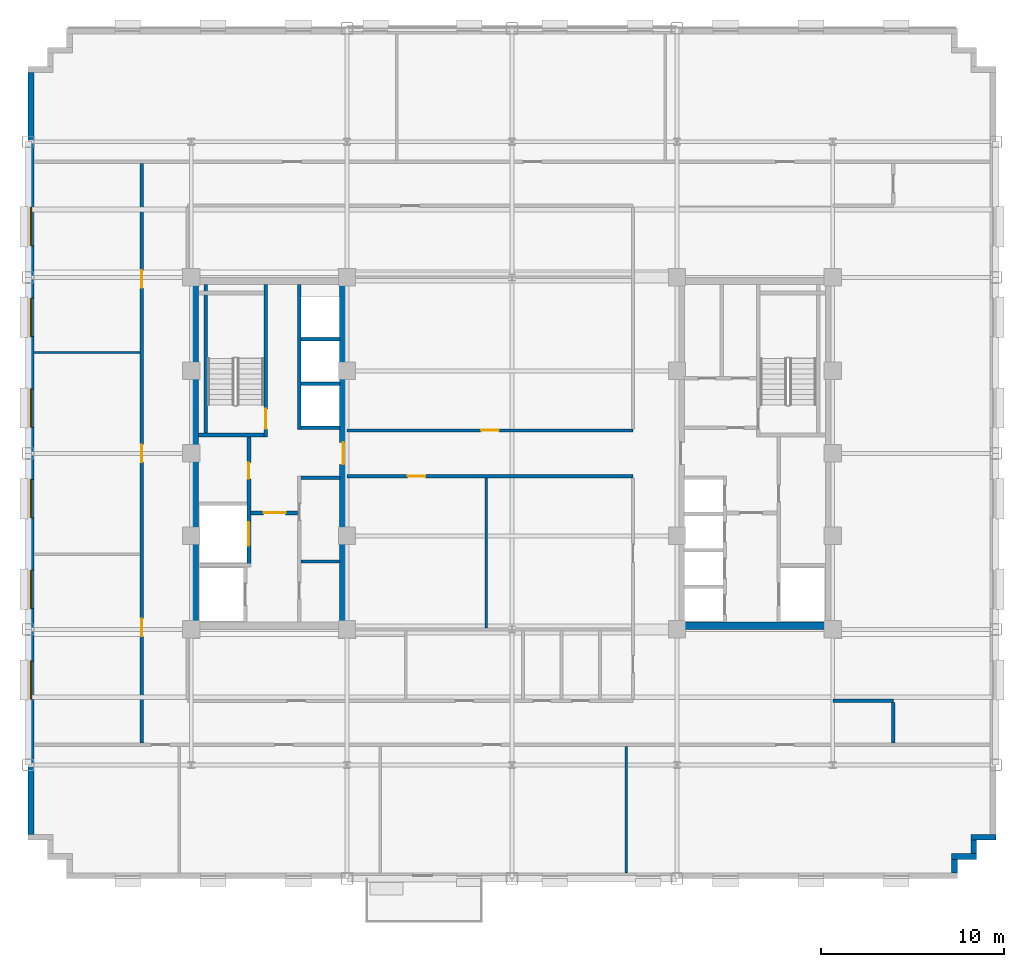
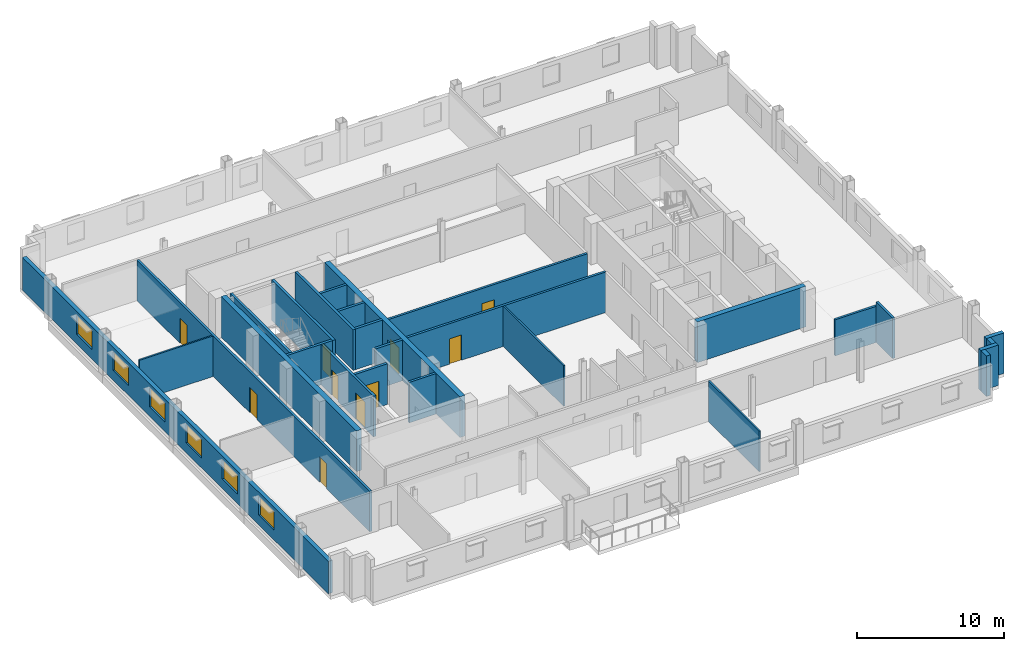
# One storey, part 7 of 13: 27 walls, 10 doors, 6 windows, 16 openings.
"""IFC4 building model written with IfcOpenShell, lengths in metres."""

from ifc_helpers import new_model, si_unit, direction, frame, frame_2d, origin, place, context, subcontext, project, spatial, rectangle, extrude, source, transform, mapped, material, layer, layer_set, type_object, type_shapes, element, fill, save


model = new_model("IFC4")

# Units and contexts
model_context = context("Model", 3, precision=1e-05, world=origin(), true_north=direction((0.0, 1.0)))
body_context = subcontext(model_context, "Body", "Model", "MODEL_VIEW")
ifc_project = project(units=[si_unit("LENGTHUNIT", "METRE"), si_unit("AREAUNIT", "SQUARE_METRE"), si_unit("VOLUMEUNIT", "CUBIC_METRE"), si_unit("PLANEANGLEUNIT", "RADIAN"), si_unit("MASSUNIT", "GRAM", prefix="KILO")], contexts=[model_context])

# Site, building, storey
site_placement = place(None, origin())
site = spatial("IfcSite", under=ifc_project, at=site_placement, CompositionType="ELEMENT")
building_placement = place(site_placement, origin())
building = spatial("IfcBuilding", under=site, at=building_placement, Name="Nuvemarco Arch Tower", CompositionType="ELEMENT")
storey_placement = place(building_placement, frame((0.0, 0.0, 149.39990234375)))
storey = spatial("IfcBuildingStorey", under=building, at=storey_placement, Name="L39", CompositionType="ELEMENT", Elevation=149.39990234375)

# Walls
ifc_material_1 = material(Name="Precast concrete C45/55", Category="concrete")
ifc_layer_1 = layer(ifc_material_1, 0.320068359375, Name="EW-MID-320")
ifc_layer_set_1 = layer_set([ifc_layer_1], Name="Precast concrete C45/55")
wall_type_1 = type_object("IfcWallType", Name="EW-MID-320", PredefinedType="STANDARD", material=ifc_layer_set_1)
wall_1_placement = place(storey_placement, frame((24.139892578125, -22.884033203125, 0.0), z_axis=(0.0, 0.0, 1.0), x_axis=(0.0, 1.0, 0.0)))
element("IfcWall", 1, at=wall_1_placement, inside=storey, type_object=wall_type_1, Name="L39 exterior precast facade wall 2", PredefinedType="STANDARD", context=body_context, shape_type="SweptSolid", body=[
    extrude(rectangle(XDim=0.738037109375, YDim=0.320068359375, at=frame_2d((0.369140625, 0.0))), origin(), (0.0, 0.0, 1.0), 3.360107421875),
])
wall_2_placement = place(storey_placement, frame((23.97998046875, -21.989990234375, 0.0), z_axis=(0.0, 0.0, 1.0), x_axis=(1.0, 0.0, 0.0)))
element("IfcWall", 2, at=wall_2_placement, inside=storey, type_object=wall_type_1, Name="L39 exterior precast facade wall 3", PredefinedType="STANDARD", context=body_context, shape_type="SweptSolid", body=[
    extrude(rectangle(XDim=1.3701171875, YDim=0.320068359375, at=frame_2d((0.68505859375, 0.0))), origin(), (0.0, 0.0, 1.0), 3.360107421875),
])
wall_3_placement = place(storey_placement, frame((25.18994140625, -21.833984375, 0.0), z_axis=(0.0, 0.0, 1.0), x_axis=(0.0, 1.0, 0.0)))
element("IfcWall", 3, at=wall_3_placement, inside=storey, type_object=wall_type_1, Name="L39 exterior precast facade wall 4", PredefinedType="STANDARD", context=body_context, shape_type="SweptSolid", body=[
    extrude(rectangle(XDim=0.738037109375, YDim=0.320068359375, at=frame_2d((0.369140625, 0.0))), origin(), (0.0, 0.0, 1.0), 3.360107421875),
])
wall_4_placement = place(storey_placement, frame((25.030029296875, -20.93994140625, 0.0), z_axis=(0.0, 0.0, 1.0), x_axis=(1.0, 0.0, 0.0)))
element("IfcWall", 4, at=wall_4_placement, inside=storey, type_object=wall_type_1, Name="L39 exterior precast facade wall 5", PredefinedType="STANDARD", context=body_context, shape_type="SweptSolid", body=[
    extrude(rectangle(XDim=1.369873046875, YDim=0.320068359375, at=frame_2d((0.68505859375, 0.0))), origin(), (0.0, 0.0, 1.0), 3.360107421875),
])

# Wall, openings, windows
wall_5_placement = place(storey_placement, frame((-26.239990234375, -20.783935546875, 0.0), z_axis=(0.0, 0.0, 1.0), x_axis=(0.0, 1.0, 0.0)))
wall_5 = element("IfcWall", 5, at=wall_5_placement, inside=storey, type_object=wall_type_1, Name="L39 exterior precast facade wall 16", PredefinedType="STANDARD", context=body_context, shape_type="SweptSolid", body=[
    extrude(rectangle(XDim=41.56787109375, YDim=0.320068359375, at=frame_2d((20.783935546875, 0.0))), origin(), (0.0, 0.0, 1.0), 2.705078125),
])
opening_1_placement = place(wall_5_placement, frame((7.368896484375, 0.0, 0.800048828125)))
opening_1 = element("IfcOpeningElement", 6, at=opening_1_placement, cuts=wall_5, Name="Opening WN-5", PredefinedType="OPENING", context=body_context, shape_type="SweptSolid", body=[
    extrude(rectangle(XDim=2.10009765625, YDim=1.56005859375, at=frame_2d((1.050048828125, 0.780029296875))), frame((0.0, 0.169921875, 0.0), z_axis=(0.0, -1.0, 0.0), x_axis=(1.0, 0.0, 0.0)), (0.0, 0.0, 1.0), 0.340087890625),
])
opening_2_placement = place(wall_5_placement, frame((12.31494140625, 0.0, 0.800048828125)))
opening_2 = element("IfcOpeningElement", 7, at=opening_2_placement, cuts=wall_5, Name="Opening WN-5", PredefinedType="OPENING", context=body_context, shape_type="SweptSolid", body=[
    extrude(rectangle(XDim=2.10009765625, YDim=1.56005859375, at=frame_2d((1.050048828125, 0.780029296875))), frame((0.0, 0.169921875, 0.0), z_axis=(0.0, -1.0, 0.0), x_axis=(1.0, 0.0, 0.0)), (0.0, 0.0, 1.0), 0.340087890625),
])
opening_3_placement = place(wall_5_placement, frame((17.260986328125, 0.0, 0.800048828125)))
opening_3 = element("IfcOpeningElement", 8, at=opening_3_placement, cuts=wall_5, Name="Opening WN-5", PredefinedType="OPENING", context=body_context, shape_type="SweptSolid", body=[
    extrude(rectangle(XDim=2.10009765625, YDim=1.56005859375, at=frame_2d((1.050048828125, 0.780029296875))), frame((0.0, 0.169921875, 0.0), z_axis=(0.0, -1.0, 0.0), x_axis=(1.0, 0.0, 0.0)), (0.0, 0.0, 1.0), 0.340087890625),
])
opening_4_placement = place(wall_5_placement, frame((22.20703125, 0.0, 0.800048828125)))
opening_4 = element("IfcOpeningElement", 9, at=opening_4_placement, cuts=wall_5, Name="Opening WN-5", PredefinedType="OPENING", context=body_context, shape_type="SweptSolid", body=[
    extrude(rectangle(XDim=2.10009765625, YDim=1.56005859375, at=frame_2d((1.050048828125, 0.780029296875))), frame((0.0, 0.169921875, 0.0), z_axis=(0.0, -1.0, 0.0), x_axis=(1.0, 0.0, 0.0)), (0.0, 0.0, 1.0), 0.340087890625),
])
opening_5_placement = place(wall_5_placement, frame((27.153076171875, 0.0, 0.800048828125)))
opening_5 = element("IfcOpeningElement", 10, at=opening_5_placement, cuts=wall_5, Name="Opening WN-5", PredefinedType="OPENING", context=body_context, shape_type="SweptSolid", body=[
    extrude(rectangle(XDim=2.10009765625, YDim=1.56005859375, at=frame_2d((1.050048828125, 0.780029296875))), frame((0.0, 0.169921875, 0.0), z_axis=(0.0, -1.0, 0.0), x_axis=(1.0, 0.0, 0.0)), (0.0, 0.0, 1.0), 0.340087890625),
])
opening_6_placement = place(wall_5_placement, frame((32.09912109375, 0.0, 0.800048828125)))
opening_6 = element("IfcOpeningElement", 11, at=opening_6_placement, cuts=wall_5, Name="Opening WN-5", PredefinedType="OPENING", context=body_context, shape_type="SweptSolid", body=[
    extrude(rectangle(XDim=2.10009765625, YDim=1.56005859375, at=frame_2d((1.050048828125, 0.780029296875))), frame((0.0, 0.169921875, 0.0), z_axis=(0.0, -1.0, 0.0), x_axis=(1.0, 0.0, 0.0)), (0.0, 0.0, 1.0), 0.340087890625),
])
ifc_material_2 = material(Name="Insulated solar-control glass", Category="glass")
window_type = type_object("IfcWindowType", Name="WN-MID-2100x1560", PartitioningType="DOUBLE_PANEL_VERTICAL", PredefinedType="WINDOW", material=ifc_material_2)
shared_shape_1 = source(origin(), body_context, "Body", "SweptSolid", [
    extrude(rectangle(XDim=2.10009765625, YDim=1.56005859375, at=frame_2d((1.050048828125, 0.780029296875))), frame((0.0, 0.030029296875, 0.0), z_axis=(0.0, -1.0, 0.0), x_axis=(1.0, 0.0, 0.0)), (0.0, 0.0, 1.0), 0.06005859375),
])
type_shapes(window_type, [shared_shape_1])
window_1_placement = place(opening_1_placement, origin())
window_1 = element("IfcWindow", 12, at=window_1_placement, inside=storey, type_object=window_type, Name="L39 punched facade window 2", OverallHeight=1.56005859375, OverallWidth=2.10009765625, PartitioningType="SINGLE_PANEL", PredefinedType="WINDOW", context=body_context, shape_type="MappedRepresentation", body=[
    mapped(shared_shape_1, transform((0.0, 0.0, 0.0), scale=1.0)),
])
fill(opening_1, window_1)
window_2_placement = place(opening_2_placement, origin())
window_2 = element("IfcWindow", 13, at=window_2_placement, inside=storey, type_object=window_type, Name="L39 punched facade window 3", OverallHeight=1.56005859375, OverallWidth=2.10009765625, PartitioningType="SINGLE_PANEL", PredefinedType="WINDOW", context=body_context, shape_type="MappedRepresentation", body=[
    mapped(shared_shape_1, transform((0.0, 0.0, 0.0), scale=1.0)),
])
fill(opening_2, window_2)
window_3_placement = place(opening_3_placement, origin())
window_3 = element("IfcWindow", 14, at=window_3_placement, inside=storey, type_object=window_type, Name="L39 punched facade window 4", OverallHeight=1.56005859375, OverallWidth=2.10009765625, PartitioningType="SINGLE_PANEL", PredefinedType="WINDOW", context=body_context, shape_type="MappedRepresentation", body=[
    mapped(shared_shape_1, transform((0.0, 0.0, 0.0), scale=1.0)),
])
fill(opening_3, window_3)
window_4_placement = place(opening_4_placement, origin())
window_4 = element("IfcWindow", 15, at=window_4_placement, inside=storey, type_object=window_type, Name="L39 punched facade window 5", OverallHeight=1.56005859375, OverallWidth=2.10009765625, PartitioningType="SINGLE_PANEL", PredefinedType="WINDOW", context=body_context, shape_type="MappedRepresentation", body=[
    mapped(shared_shape_1, transform((0.0, 0.0, 0.0), scale=1.0)),
])
fill(opening_4, window_4)
window_5_placement = place(opening_5_placement, origin())
window_5 = element("IfcWindow", 16, at=window_5_placement, inside=storey, type_object=window_type, Name="L39 punched facade window 6", OverallHeight=1.56005859375, OverallWidth=2.10009765625, PartitioningType="SINGLE_PANEL", PredefinedType="WINDOW", context=body_context, shape_type="MappedRepresentation", body=[
    mapped(shared_shape_1, transform((0.0, 0.0, 0.0), scale=1.0)),
])
fill(opening_5, window_5)
window_6_placement = place(opening_6_placement, origin())
window_6 = element("IfcWindow", 17, at=window_6_placement, inside=storey, type_object=window_type, Name="L39 punched facade window 7", OverallHeight=1.56005859375, OverallWidth=2.10009765625, PartitioningType="SINGLE_PANEL", PredefinedType="WINDOW", context=body_context, shape_type="MappedRepresentation", body=[
    mapped(shared_shape_1, transform((0.0, 0.0, 0.0), scale=1.0)),
])
fill(opening_6, window_6)

# Wall
ifc_material_3 = material(Name="Concrete C60/75", Category="concrete")
ifc_layer_2 = layer(ifc_material_3, 0.39990234375, Name="WL-CORE-400")
ifc_layer_set_2 = layer_set([ifc_layer_2], Name="Concrete C60/75")
wall_type_2 = type_object("IfcWallType", Name="WL-CORE-400", PredefinedType="SHEAR", material=ifc_layer_set_2)
wall_6_placement = place(storey_placement, frame((-17.300048828125, -9.205078125, 0.0), z_axis=(0.0, 0.0, 1.0), x_axis=(0.0, 1.0, 0.0)))
element("IfcWall", 18, at=wall_6_placement, inside=storey, type_object=wall_type_2, Name="L39 W-core shear wall W", PredefinedType="SHEAR", context=body_context, shape_type="SweptSolid", body=[
    extrude(rectangle(XDim=18.41015625, YDim=0.39990234375, at=frame_2d((9.205078125, 0.0))), origin(), (0.0, 0.0, 1.0), 3.3701171875),
])

# Wall, opening, door
wall_7_placement = place(storey_placement, frame((-9.199951171875, -9.205078125, 0.0), z_axis=(0.0, 0.0, 1.0), x_axis=(0.0, 1.0, 0.0)))
wall_7 = element("IfcWall", 19, at=wall_7_placement, inside=storey, type_object=wall_type_2, Name="L39 W-core shear wall E", PredefinedType="SHEAR", context=body_context, shape_type="SweptSolid", body=[
    extrude(rectangle(XDim=18.41015625, YDim=0.39990234375, at=frame_2d((9.205078125, 0.0))), origin(), (0.0, 0.0, 1.0), 3.3701171875),
])
opening_7_placement = place(wall_7_placement, frame((8.60498046875, 0.0, 0.0)))
opening_7 = element("IfcOpeningElement", 20, at=opening_7_placement, cuts=wall_7, Name="Opening FD-2", PredefinedType="OPENING", context=body_context, shape_type="SweptSolid", body=[
    extrude(rectangle(XDim=1.199951171875, YDim=2.14990234375, at=frame_2d((0.60009765625, 1.074951171875))), frame((0.0, 0.2099609375, 0.0), z_axis=(0.0, -1.0, 0.0), x_axis=(1.0, 0.0, 0.0)), (0.0, 0.0, 1.0), 0.419921875),
])
ifc_material_4 = material(Name="Anodised steel fire door", Category="steel")
door_type_1 = type_object("IfcDoorType", Name="DR-FFLOB-FD", OperationType="NOTDEFINED", PredefinedType="DOOR", material=ifc_material_4)
shared_shape_2 = source(origin(), body_context, "Body", "SweptSolid", [
    extrude(rectangle(XDim=1.199951171875, YDim=2.14990234375, at=frame_2d((0.60009765625, 1.074951171875))), frame((0.0, 0.02490234375, 0.0), z_axis=(0.0, -1.0, 0.0), x_axis=(1.0, 0.0, 0.0)), (0.0, 0.0, 1.0), 0.050048828125),
])
type_shapes(door_type_1, [shared_shape_2])
door_1_placement = place(opening_7_placement, origin())
door_1 = element("IfcDoor", 21, at=door_1_placement, inside=storey, type_object=door_type_1, Name="L39 door FD-L39-WCORE-E", OperationType="SINGLE_SWING_LEFT", OverallHeight=2.14990234375, OverallWidth=1.199951171875, PredefinedType="DOOR", context=body_context, shape_type="MappedRepresentation", body=[
    mapped(shared_shape_2, transform((0.0, 0.0, 0.0), scale=1.0)),
])
fill(opening_7, door_1)

# Walls
wall_8_placement = place(storey_placement, frame((9.0, -9.39990234375, 0.0), z_axis=(0.0, 0.0, 1.0), x_axis=(1.0, 0.0, 0.0)))
element("IfcWall", 22, at=wall_8_placement, inside=storey, type_object=wall_type_2, Name="L39 E-core shear wall S", PredefinedType="SHEAR", context=body_context, shape_type="SweptSolid", body=[
    extrude(rectangle(XDim=8.5, YDim=0.39990234375, at=frame_2d((4.25, 0.0))), origin(), (0.0, 0.0, 1.0), 3.3701171875),
])
ifc_material_5 = material(Name="Fire-rated gypsum drywall partition")
ifc_layer_3 = layer(ifc_material_5, 0.179931640625, Name="WL-CORR-180")
ifc_layer_set_3 = layer_set([ifc_layer_3], Name="Fire-rated gypsum drywall partition")
wall_type_3 = type_object("IfcWallType", Name="WL-CORR-180", PredefinedType="PARTITIONING", material=ifc_layer_set_3)
wall_9_placement = place(storey_placement, frame((-11.5048828125, -5.89990234375, 0.0), z_axis=(0.0, 0.0, 1.0), x_axis=(1.0, 0.0, 0.0)))
element("IfcWall", 23, at=wall_9_placement, inside=storey, type_object=wall_type_3, Name="L39 interior wall IW-L39-W-RECK3", PredefinedType="PARTITIONING", context=body_context, shape_type="SweptSolid", body=[
    extrude(rectangle(XDim=2.10986328125, YDim=0.179931640625, at=frame_2d((1.054931640625, 0.0))), origin(), (0.0, 0.0, 1.0), 3.360107421875),
])
wall_10_placement = place(storey_placement, frame((17.5, -13.5, 0.0), z_axis=(0.0, 0.0, 1.0), x_axis=(1.0, 0.0, 0.0)))
element("IfcWall", 24, at=wall_10_placement, inside=storey, type_object=wall_type_3, Name="L39 interior wall IW-L39-003", PredefinedType="PARTITIONING", context=body_context, shape_type="SweptSolid", body=[
    extrude(rectangle(XDim=3.300048828125, YDim=0.179931640625, at=frame_2d((1.64990234375, 0.0))), origin(), (0.0, 0.0, 1.0), 2.998046875),
])

# Wall, opening, door
wall_11_placement = place(storey_placement, frame((-9.0, -1.25, 0.0), z_axis=(0.0, 0.0, 1.0), x_axis=(1.0, 0.0, 0.0)))
wall_11 = element("IfcWall", 25, at=wall_11_placement, inside=storey, type_object=wall_type_3, Name="L39 interior wall IW-L39-007", PredefinedType="PARTITIONING", context=body_context, shape_type="SweptSolid", body=[
    extrude(rectangle(XDim=15.60009765625, YDim=0.179931640625, at=frame_2d((7.800048828125, 0.0))), origin(), (0.0, 0.0, 1.0), 3.360107421875),
])
opening_8_placement = place(wall_11_placement, frame((3.320068359375, 0.0, 0.0)))
opening_8 = element("IfcOpeningElement", 26, at=opening_8_placement, cuts=wall_11, Name="Opening FD-5", PredefinedType="OPENING", context=body_context, shape_type="SweptSolid", body=[
    extrude(rectangle(XDim=0.9599609375, YDim=2.10009765625, at=frame_2d((0.47998046875, 1.050048828125))), frame((0.0, 0.099853515625, 0.0), z_axis=(0.0, -1.0, 0.0), x_axis=(1.0, 0.0, 0.0)), (0.0, 0.0, 1.0), 0.199951171875),
])
ifc_material_6 = material(Name="Timber fire door", Category="wood")
door_type_2 = type_object("IfcDoorType", Name="DR-CORR-FD", OperationType="NOTDEFINED", PredefinedType="DOOR", material=ifc_material_6)
shared_shape_3 = source(origin(), body_context, "Body", "SweptSolid", [
    extrude(rectangle(XDim=0.9599609375, YDim=2.10009765625, at=frame_2d((0.47998046875, 1.050048828125))), frame((0.0, 0.02490234375, 0.0), z_axis=(0.0, -1.0, 0.0), x_axis=(1.0, 0.0, 0.0)), (0.0, 0.0, 1.0), 0.050048828125),
])
type_shapes(door_type_2, [shared_shape_3])
door_2_placement = place(opening_8_placement, origin())
door_2 = element("IfcDoor", 27, at=door_2_placement, inside=storey, type_object=door_type_2, Name="L39 door DR-L39-C_S1", OperationType="SINGLE_SWING_LEFT", OverallHeight=2.10009765625, OverallWidth=0.9599609375, PredefinedType="DOOR", context=body_context, shape_type="MappedRepresentation", body=[
    mapped(shared_shape_3, transform((0.0, 0.0, 0.0), scale=1.0)),
])
fill(opening_8, door_2)

wall_12_placement = place(storey_placement, frame((-9.0, 1.25, 0.0), z_axis=(0.0, 0.0, 1.0), x_axis=(1.0, 0.0, 0.0)))
wall_12 = element("IfcWall", 28, at=wall_12_placement, inside=storey, type_object=wall_type_3, Name="L39 interior wall IW-L39-008", PredefinedType="PARTITIONING", context=body_context, shape_type="SweptSolid", body=[
    extrude(rectangle(XDim=15.60009765625, YDim=0.179931640625, at=frame_2d((7.800048828125, 0.0))), origin(), (0.0, 0.0, 1.0), 3.360107421875),
])
opening_9_placement = place(wall_12_placement, frame((7.320068359375, 0.0, 0.0)))
opening_9 = element("IfcOpeningElement", 29, at=opening_9_placement, cuts=wall_12, Name="Opening FD-5", PredefinedType="OPENING", context=body_context, shape_type="SweptSolid", body=[
    extrude(rectangle(XDim=0.9599609375, YDim=2.10009765625, at=frame_2d((0.47998046875, 1.050048828125))), frame((0.0, 0.099853515625, 0.0), z_axis=(0.0, -1.0, 0.0), x_axis=(1.0, 0.0, 0.0)), (0.0, 0.0, 1.0), 0.199951171875),
])
door_3_placement = place(opening_9_placement, origin())
door_3 = element("IfcDoor", 30, at=door_3_placement, inside=storey, type_object=door_type_2, Name="L39 door DR-L39-C_N1", OperationType="SINGLE_SWING_LEFT", OverallHeight=2.10009765625, OverallWidth=0.9599609375, PredefinedType="DOOR", context=body_context, shape_type="MappedRepresentation", body=[
    mapped(shared_shape_3, transform((0.0, 0.0, 0.0), scale=1.0)),
])
fill(opening_9, door_3)

# Wall, openings, doors
wall_13_placement = place(storey_placement, frame((-20.199951171875, -15.81396484375, 0.0), z_axis=(0.0, 0.0, 1.0), x_axis=(0.0, 1.0, 0.0)))
wall_13 = element("IfcWall", 31, at=wall_13_placement, inside=storey, type_object=wall_type_3, Name="L39 interior wall IW-L39-015", PredefinedType="PARTITIONING", context=body_context, shape_type="SweptSolid", body=[
    extrude(rectangle(XDim=31.6279296875, YDim=0.179931640625, at=frame_2d((15.81396484375, 0.0))), origin(), (0.0, 0.0, 1.0), 3.360107421875),
])
opening_10_placement = place(wall_13_placement, frame((15.333984375, 0.0, 0.0)))
opening_10 = element("IfcOpeningElement", 32, at=opening_10_placement, cuts=wall_13, Name="Opening FD-5", PredefinedType="OPENING", context=body_context, shape_type="SweptSolid", body=[
    extrude(rectangle(XDim=0.9599609375, YDim=2.10009765625, at=frame_2d((0.47998046875, 1.050048828125))), frame((0.0, 0.099853515625, 0.0), z_axis=(0.0, -1.0, 0.0), x_axis=(1.0, 0.0, 0.0)), (0.0, 0.0, 1.0), 0.199951171875),
])
opening_11_placement = place(wall_13_placement, frame((5.833984375, 0.0, 0.0)))
opening_11 = element("IfcOpeningElement", 33, at=opening_11_placement, cuts=wall_13, Name="Opening FD-5", PredefinedType="OPENING", context=body_context, shape_type="SweptSolid", body=[
    extrude(rectangle(XDim=0.9599609375, YDim=2.10009765625, at=frame_2d((0.47998046875, 1.050048828125))), frame((0.0, 0.099853515625, 0.0), z_axis=(0.0, -1.0, 0.0), x_axis=(1.0, 0.0, 0.0)), (0.0, 0.0, 1.0), 0.199951171875),
])
opening_12_placement = place(wall_13_placement, frame((24.833984375, 0.0, 0.0)))
opening_12 = element("IfcOpeningElement", 34, at=opening_12_placement, cuts=wall_13, Name="Opening FD-5", PredefinedType="OPENING", context=body_context, shape_type="SweptSolid", body=[
    extrude(rectangle(XDim=0.9599609375, YDim=2.10009765625, at=frame_2d((0.47998046875, 1.050048828125))), frame((0.0, 0.099853515625, 0.0), z_axis=(0.0, -1.0, 0.0), x_axis=(1.0, 0.0, 0.0)), (0.0, 0.0, 1.0), 0.199951171875),
])
door_4_placement = place(opening_10_placement, origin())
door_4 = element("IfcDoor", 35, at=door_4_placement, inside=storey, type_object=door_type_2, Name="L39 door DR-L39-W_2", OperationType="SINGLE_SWING_RIGHT", OverallHeight=2.10009765625, OverallWidth=0.9599609375, PredefinedType="DOOR", context=body_context, shape_type="MappedRepresentation", body=[
    mapped(shared_shape_3, transform((0.0, 0.0, 0.0), scale=1.0)),
])
fill(opening_10, door_4)
door_5_placement = place(opening_11_placement, origin())
door_5 = element("IfcDoor", 36, at=door_5_placement, inside=storey, type_object=door_type_2, Name="L39 door DR-L39-W_1", OperationType="SINGLE_SWING_LEFT", OverallHeight=2.10009765625, OverallWidth=0.9599609375, PredefinedType="DOOR", context=body_context, shape_type="MappedRepresentation", body=[
    mapped(shared_shape_3, transform((0.0, 0.0, 0.0), scale=1.0)),
])
fill(opening_11, door_5)
door_6_placement = place(opening_12_placement, origin())
door_6 = element("IfcDoor", 37, at=door_6_placement, inside=storey, type_object=door_type_2, Name="L39 door DR-L39-W_3", OperationType="SINGLE_SWING_RIGHT", OverallHeight=2.10009765625, OverallWidth=0.9599609375, PredefinedType="DOOR", context=body_context, shape_type="MappedRepresentation", body=[
    mapped(shared_shape_3, transform((0.0, 0.0, 0.0), scale=1.0)),
])
fill(opening_12, door_6)

# Walls
wall_14_placement = place(storey_placement, frame((20.800048828125, -15.81396484375, 0.0), z_axis=(0.0, 0.0, 1.0), x_axis=(0.0, 1.0, 0.0)))
element("IfcWall", 38, at=wall_14_placement, inside=storey, type_object=wall_type_3, Name="L39 interior wall IW-L39-030", PredefinedType="PARTITIONING", context=body_context, shape_type="SweptSolid", body=[
    extrude(rectangle(XDim=2.22802734375, YDim=0.179931640625, at=frame_2d((1.114013671875, 0.0))), origin(), (0.0, 0.0, 1.0), 3.360107421875),
])
ifc_material_7 = material(Name="Glazed acoustic office partition")
ifc_layer_4 = layer(ifc_material_7, 0.1298828125, Name="WL-EXEC-130")
ifc_layer_set_4 = layer_set([ifc_layer_4], Name="Glazed acoustic office partition")
wall_type_4 = type_object("IfcWallType", Name="WL-EXEC-130", PredefinedType="PARTITIONING", material=ifc_layer_set_4)
wall_15_placement = place(storey_placement, frame((-26.080078125, 5.5, 0.0), z_axis=(0.0, 0.0, 1.0), x_axis=(1.0, 0.0, 0.0)))
element("IfcWall", 39, at=wall_15_placement, inside=storey, type_object=wall_type_4, Name="L39 interior wall IW-L39-009", PredefinedType="PARTITIONING", context=body_context, shape_type="SweptSolid", body=[
    extrude(rectangle(XDim=5.794189453125, YDim=0.1298828125, at=frame_2d((2.89697265625, 0.0))), origin(), (0.0, 0.0, 1.0), 3.360107421875),
])
wall_16_placement = place(storey_placement, frame((-1.39990234375, -9.52392578125, 0.0), z_axis=(0.0, 0.0, 1.0), x_axis=(0.0, 1.0, 0.0)))
element("IfcWall", 40, at=wall_16_placement, inside=storey, type_object=wall_type_4, Name="L39 interior wall IW-L39-022", PredefinedType="PARTITIONING", context=body_context, shape_type="SweptSolid", body=[
    extrude(rectangle(XDim=8.18798828125, YDim=0.1298828125, at=frame_2d((4.093994140625, 0.0))), origin(), (0.0, 0.0, 1.0), 3.360107421875),
])
wall_17_placement = place(storey_placement, frame((6.22998046875, -22.8798828125, 0.0), z_axis=(0.0, 0.0, 1.0), x_axis=(0.0, 1.0, 0.0)))
element("IfcWall", 41, at=wall_17_placement, inside=storey, type_object=wall_type_4, Name="L39 interior wall IW-L39-026", PredefinedType="PARTITIONING", context=body_context, shape_type="SweptSolid", body=[
    extrude(rectangle(XDim=6.893798828125, YDim=0.1298828125, at=frame_2d((3.44677734375, 0.0))), origin(), (0.0, 0.0, 1.0), 3.360107421875),
])

# Wall, opening, door
ifc_material_8 = material(Name="Concrete C50/60", Category="concrete")
ifc_layer_5 = layer(ifc_material_8, 0.199951171875, Name="WL-SHAFT-220")
ifc_layer_set_5 = layer_set([ifc_layer_5], Name="Concrete C50/60")
wall_type_5 = type_object("IfcWallType", Name="WL-SHAFT-220", PredefinedType="SHEAR", material=ifc_layer_set_5)
wall_18_placement = place(storey_placement, frame((-13.43994140625, 0.89990234375, 0.0), z_axis=(0.0, 0.0, 1.0), x_axis=(0.0, 1.0, 0.0)))
wall_18 = element("IfcWall", 42, at=wall_18_placement, inside=storey, type_object=wall_type_5, Name="L39 structural shaft wall SW-L39-W-ST1E", PredefinedType="SHEAR", context=body_context, shape_type="SweptSolid", body=[
    extrude(rectangle(XDim=8.30517578125, YDim=0.199951171875, at=frame_2d((4.152587890625, 0.0))), origin(), (0.0, 0.0, 1.0), 3.3701171875),
])
opening_13_placement = place(wall_18_placement, frame((1.530029296875, 0.0, 0.0), z_axis=(0.0, 0.0, 1.0), x_axis=(-1.0, 0.0, 0.0)))
opening_13 = element("IfcOpeningElement", 43, at=opening_13_placement, cuts=wall_18, Name="Opening FD-1", PredefinedType="OPENING", context=body_context, shape_type="SweptSolid", body=[
    extrude(rectangle(XDim=1.10009765625, YDim=2.14990234375, at=frame_2d((0.550048828125, 1.074951171875))), frame((0.0, 0.10986328125, 0.0), z_axis=(0.0, -1.0, 0.0), x_axis=(1.0, 0.0, 0.0)), (0.0, 0.0, 1.0), 0.219970703125),
])
door_type_3 = type_object("IfcDoorType", Name="DR-STAIR-FD", OperationType="NOTDEFINED", PredefinedType="DOOR", material=ifc_material_4)
shared_shape_4 = source(origin(), body_context, "Body", "SweptSolid", [
    extrude(rectangle(XDim=1.10009765625, YDim=2.14990234375, at=frame_2d((0.550048828125, 1.074951171875))), frame((0.0, 0.02490234375, 0.0), z_axis=(0.0, -1.0, 0.0), x_axis=(1.0, 0.0, 0.0)), (0.0, 0.0, 1.0), 0.050048828125),
])
type_shapes(door_type_3, [shared_shape_4])
door_7_placement = place(opening_13_placement, origin())
door_7 = element("IfcDoor", 44, at=door_7_placement, inside=storey, type_object=door_type_3, Name="L39 door FD-L39-ST1", OperationType="SINGLE_SWING_LEFT", OverallHeight=2.14990234375, OverallWidth=1.10009765625, PredefinedType="DOOR", context=body_context, shape_type="MappedRepresentation", body=[
    mapped(shared_shape_4, transform((0.0, 0.0, 0.0), scale=1.0)),
])
fill(opening_13, door_7)

# Walls
wall_19_placement = place(storey_placement, frame((-17.10498046875, 1.0, 0.0), z_axis=(0.0, 0.0, 1.0), x_axis=(1.0, 0.0, 0.0)))
element("IfcWall", 45, at=wall_19_placement, inside=storey, type_object=wall_type_5, Name="L39 structural shaft wall SW-L39-W-ST1S", PredefinedType="SHEAR", context=body_context, shape_type="SweptSolid", body=[
    extrude(rectangle(XDim=3.570068359375, YDim=0.199951171875, at=frame_2d((1.78515625, 0.0))), origin(), (0.0, 0.0, 1.0), 3.3701171875),
])
wall_20_placement = place(storey_placement, frame((-16.699951171875, 1.094970703125, 0.0), z_axis=(0.0, 0.0, 1.0), x_axis=(0.0, 1.0, 0.0)))
element("IfcWall", 46, at=wall_20_placement, inside=storey, type_object=wall_type_5, Name="L39 structural shaft wall SW-L39-W-ST1W", PredefinedType="SHEAR", context=body_context, shape_type="SweptSolid", body=[
    extrude(rectangle(XDim=8.110107421875, YDim=0.199951171875, at=frame_2d((4.05517578125, 0.0))), origin(), (0.0, 0.0, 1.0), 3.3701171875),
])

# Wall, openings, doors
wall_21_placement = place(storey_placement, frame((-14.35009765625, -6.199951171875, 0.0), z_axis=(0.0, 0.0, 1.0), x_axis=(0.0, 1.0, 0.0)))
wall_21 = element("IfcWall", 47, at=wall_21_placement, inside=storey, type_object=wall_type_5, Name="L39 structural shaft wall SW-L39-W-SVE", PredefinedType="SHEAR", context=body_context, shape_type="SweptSolid", body=[
    extrude(rectangle(XDim=7.10498046875, YDim=0.199951171875, at=frame_2d((3.552490234375, 0.0))), origin(), (0.0, 0.0, 1.0), 3.3701171875),
])
opening_14_placement = place(wall_21_placement, frame((5.68994140625, 0.0, 0.0), z_axis=(0.0, 0.0, 1.0), x_axis=(-1.0, 0.0, 0.0)))
opening_14 = element("IfcOpeningElement", 48, at=opening_14_placement, cuts=wall_21, Name="Opening FD-4", PredefinedType="OPENING", context=body_context, shape_type="SweptSolid", body=[
    extrude(rectangle(XDim=0.8798828125, YDim=2.10009765625, at=frame_2d((0.43994140625, 1.050048828125))), frame((0.0, 0.10986328125, 0.0), z_axis=(0.0, -1.0, 0.0), x_axis=(1.0, 0.0, 0.0)), (0.0, 0.0, 1.0), 0.219970703125),
])
opening_15_placement = place(wall_21_placement, frame((1.14990234375, 0.0, 0.0)))
opening_15 = element("IfcOpeningElement", 49, at=opening_15_placement, cuts=wall_21, Name="Opening LD-3", PredefinedType="OPENING", context=body_context, shape_type="SweptSolid", body=[
    extrude(rectangle(XDim=1.300048828125, YDim=2.199951171875, at=frame_2d((0.64990234375, 1.10009765625))), frame((0.0, 0.10986328125, 0.0), z_axis=(0.0, -1.0, 0.0), x_axis=(1.0, 0.0, 0.0)), (0.0, 0.0, 1.0), 0.219970703125),
])
door_type_4 = type_object("IfcDoorType", Name="DR-RISER-FD", OperationType="NOTDEFINED", PredefinedType="DOOR", material=ifc_material_4)
shared_shape_5 = source(origin(), body_context, "Body", "SweptSolid", [
    extrude(rectangle(XDim=0.8798828125, YDim=2.10009765625, at=frame_2d((0.43994140625, 1.050048828125))), frame((0.0, 0.02490234375, 0.0), z_axis=(0.0, -1.0, 0.0), x_axis=(1.0, 0.0, 0.0)), (0.0, 0.0, 1.0), 0.050048828125),
])
type_shapes(door_type_4, [shared_shape_5])
door_8_placement = place(opening_14_placement, origin())
door_8 = element("IfcDoor", 50, at=door_8_placement, inside=storey, type_object=door_type_4, Name="L39 door FD-L39-WRIS", OperationType="SINGLE_SWING_LEFT", OverallHeight=2.10009765625, OverallWidth=0.8798828125, PredefinedType="DOOR", context=body_context, shape_type="MappedRepresentation", body=[
    mapped(shared_shape_5, transform((0.0, 0.0, 0.0), scale=1.0)),
])
fill(opening_14, door_8)
ifc_material_9 = material(Name="Stainless steel lift door", Category="steel")
door_type_5 = type_object("IfcDoorType", Name="DR-LIFT-SERV", OperationType="DOUBLE_DOOR_SLIDING", PredefinedType="DOOR", material=ifc_material_9)
shared_shape_6 = source(origin(), body_context, "Body", "SweptSolid", [
    extrude(rectangle(XDim=1.300048828125, YDim=2.199951171875, at=frame_2d((0.64990234375, 1.10009765625))), frame((0.0, 0.02490234375, 0.0), z_axis=(0.0, -1.0, 0.0), x_axis=(1.0, 0.0, 0.0)), (0.0, 0.0, 1.0), 0.050048828125),
])
type_shapes(door_type_5, [shared_shape_6])
door_9_placement = place(opening_15_placement, origin())
door_9 = element("IfcDoor", 51, at=door_9_placement, inside=storey, type_object=door_type_5, Name="L39 Lift landing sliding door SVL-1", OperationType="DOUBLE_DOOR_SLIDING", OverallHeight=2.199951171875, OverallWidth=1.300048828125, PredefinedType="DOOR", context=body_context, shape_type="MappedRepresentation", body=[
    mapped(shared_shape_6, transform((0.0, 0.0, 0.0), scale=1.0)),
])
fill(opening_15, door_9)

# Wall, opening, door
wall_22_placement = place(storey_placement, frame((-14.2548828125, -3.25, 0.0), z_axis=(0.0, 0.0, 1.0), x_axis=(1.0, 0.0, 0.0)))
wall_22 = element("IfcWall", 52, at=wall_22_placement, inside=storey, type_object=wall_type_5, Name="L39 structural shaft wall SW-L39-W-FFN", PredefinedType="SHEAR", context=body_context, shape_type="SweptSolid", body=[
    extrude(rectangle(XDim=2.559814453125, YDim=0.199951171875, at=frame_2d((1.27978515625, 0.0))), origin(), (0.0, 0.0, 1.0), 3.3701171875),
])
opening_16_placement = place(wall_22_placement, frame((0.705078125, 0.0, 0.0)))
opening_16 = element("IfcOpeningElement", 53, at=opening_16_placement, cuts=wall_22, Name="Opening FD-2", PredefinedType="OPENING", context=body_context, shape_type="SweptSolid", body=[
    extrude(rectangle(XDim=1.199951171875, YDim=2.14990234375, at=frame_2d((0.60009765625, 1.074951171875))), frame((0.0, 0.10986328125, 0.0), z_axis=(0.0, -1.0, 0.0), x_axis=(1.0, 0.0, 0.0)), (0.0, 0.0, 1.0), 0.219970703125),
])
door_10_placement = place(opening_16_placement, origin())
door_10 = element("IfcDoor", 54, at=door_10_placement, inside=storey, type_object=door_type_1, Name="L39 door FD-L39-WFF1", OperationType="SINGLE_SWING_LEFT", OverallHeight=2.14990234375, OverallWidth=1.199951171875, PredefinedType="DOOR", context=body_context, shape_type="MappedRepresentation", body=[
    mapped(shared_shape_2, transform((0.0, 0.0, 0.0), scale=1.0)),
])
fill(opening_16, door_10)

# Walls
wall_23_placement = place(storey_placement, frame((-11.5048828125, -1.330078125, 0.0), z_axis=(0.0, 0.0, 1.0), x_axis=(1.0, 0.0, 0.0)))
element("IfcWall", 55, at=wall_23_placement, inside=storey, type_object=wall_type_5, Name="L39 structural shaft wall SW-L39-W-PLTOP", PredefinedType="SHEAR", context=body_context, shape_type="SweptSolid", body=[
    extrude(rectangle(XDim=2.10986328125, YDim=0.199951171875, at=frame_2d((1.054931640625, 0.0))), origin(), (0.0, 0.0, 1.0), 3.3701171875),
])
wall_24_placement = place(storey_placement, frame((-11.60009765625, 1.300048828125, 0.0), z_axis=(0.0, 0.0, 1.0), x_axis=(0.0, 1.0, 0.0)))
element("IfcWall", 56, at=wall_24_placement, inside=storey, type_object=wall_type_5, Name="L39 structural shaft wall SW-L39-W-PHW", PredefinedType="SHEAR", context=body_context, shape_type="SweptSolid", body=[
    extrude(rectangle(XDim=7.905029296875, YDim=0.199951171875, at=frame_2d((3.95263671875, 0.0))), origin(), (0.0, 0.0, 1.0), 3.3701171875),
])
for number, where, z_axis, x_axis, name in (
    (57, (-11.5048828125, 1.39990234375, 0.0), (0.0, 0.0, 1.0), (1.0, 0.0, 0.0), "L39 structural shaft wall SW-L39-W-PHD1"),
    (58, (-11.5048828125, 3.800048828125, 0.0), (0.0, 0.0, 1.0), (1.0, 0.0, 0.0), "L39 structural shaft wall SW-L39-W-PHD2"),
    (59, (-11.5048828125, 6.219970703125, 0.0), (0.0, 0.0, 1.0), (1.0, 0.0, 0.0), "L39 structural shaft wall SW-L39-W-PHD3"),
):
    element("IfcWall", number, at=place(storey_placement, frame(where, z_axis=z_axis, x_axis=x_axis)), inside=storey, type_object=wall_type_5, Name=name, PredefinedType="SHEAR", context=body_context, shape_type="SweptSolid", body=[
        extrude(rectangle(XDim=2.10986328125, YDim=0.199951171875, at=frame_2d((1.054931640625, 0.0))), origin(), (0.0, 0.0, 1.0), 3.3701171875),
    ])

save(model, "model.ifc")
